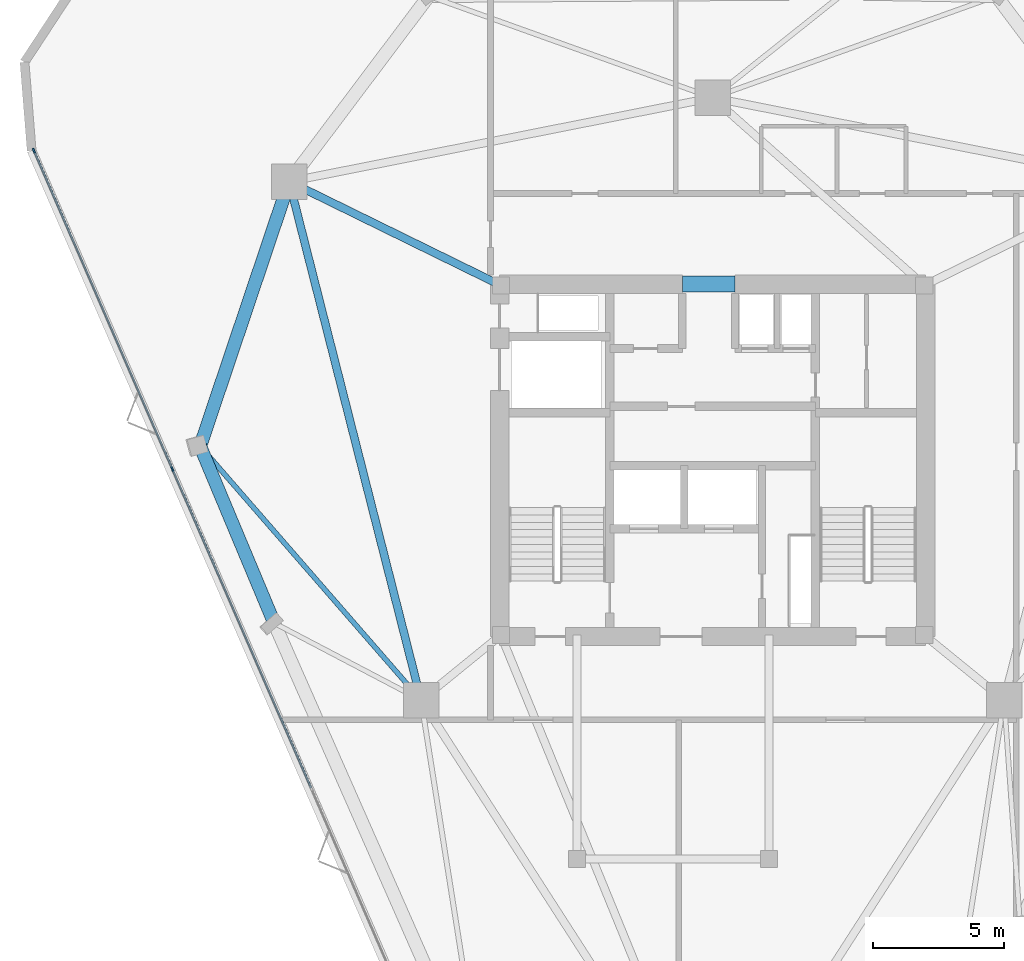
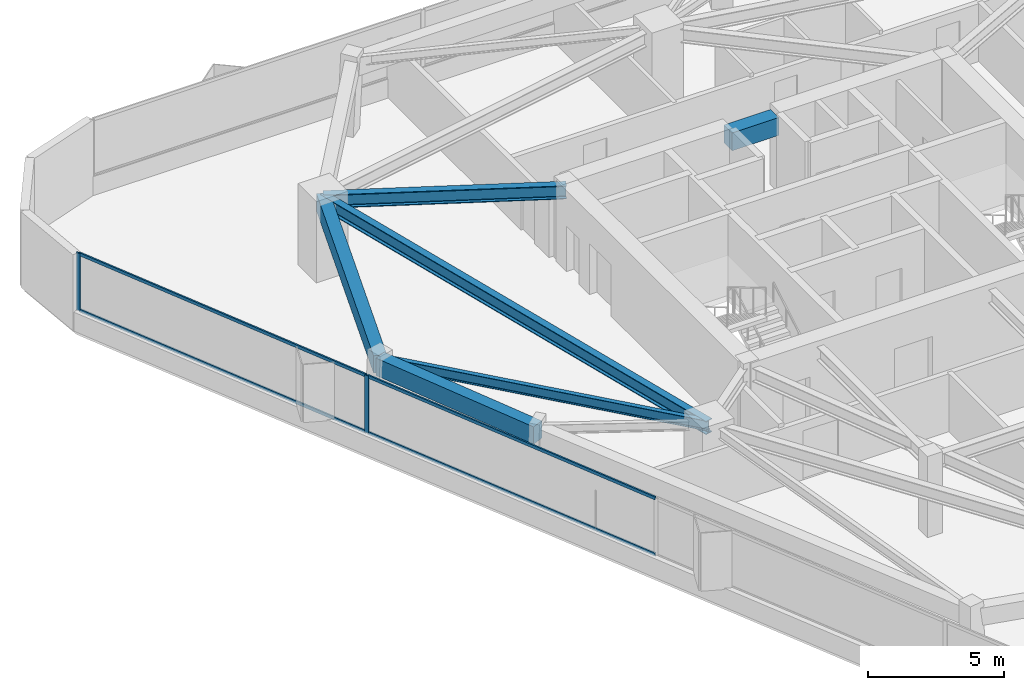
# One storey, part 5 of 12: 6 beams, 6 members, 1 element without a shape of its own.
"""IFC4 building model written with IfcOpenShell, lengths in metres."""

from ifc_helpers import new_model, si_unit, direction, frame, origin, origin_2d, place, context, subcontext, project, spatial, rectangle, i_section, extrude, material, layer, layer_set, material_profile, profile_set, type_object, element, aggregate, save


model = new_model("IFC4")

# Units and contexts
model_context = context("Model", 3, precision=1e-05, world=origin(), true_north=direction((0.0, 1.0)))
body_context = subcontext(model_context, "Body", "Model", "MODEL_VIEW")
ifc_project = project(units=[si_unit("LENGTHUNIT", "METRE"), si_unit("AREAUNIT", "SQUARE_METRE"), si_unit("VOLUMEUNIT", "CUBIC_METRE"), si_unit("PLANEANGLEUNIT", "RADIAN"), si_unit("MASSUNIT", "GRAM", prefix="KILO")], contexts=[model_context])

# Site, building, storey
site_placement = place(None, origin())
site = spatial("IfcSite", under=ifc_project, at=site_placement, CompositionType="ELEMENT")
building_placement = place(site_placement, origin())
building = spatial("IfcBuilding", under=site, at=building_placement, Name="Talyreon Biosciences Tower", CompositionType="ELEMENT")
storey_placement = place(building_placement, frame((0.0, 0.0, 197.64990234375)))
storey = spatial("IfcBuildingStorey", under=building, at=storey_placement, Name="L52", CompositionType="ELEMENT", Elevation=197.64990234375)

# Curtain wall, members
ifc_material_1 = material(Name="Thermally broken aluminium and low-E glazing", Category="aluminium")
ifc_layer = layer(ifc_material_1, 0.179931640625)
ifc_layer_set = layer_set([ifc_layer], Name="Thermally broken aluminium and low-E glazing")
curtain_wall_type = type_object("IfcCurtainWallType", Name="CurtainWall_Zone4Optical", PredefinedType="NOTDEFINED", material=ifc_layer_set)
curtain_wall_placement = place(storey_placement, origin())
curtain_wall = element("IfcCurtainWall", 1, at=curtain_wall_placement, inside=storey, type_object=curtain_wall_type, Name="L52 Unitised Curtain Wall FCW-L52-00", PredefinedType="NOTDEFINED")
ifc_material_2 = material(Name="Anodised thermally broken aluminium", Category="aluminium")
ifc_material_profile_1 = material_profile(ifc_material_2, rectangle(XDim=0.06494140625, YDim=0.179931640625, at=origin_2d()), Name="ALUM MULLION 65x180")
ifc_profile_set_1 = profile_set([ifc_material_profile_1], Name="Anodised thermally broken aluminium")
member_type_1 = type_object("IfcMemberType", Name="CWMullion_65x180", PredefinedType="MULLION", material=ifc_profile_set_1)
member_1_placement = place(storey_placement, frame((45.456787109375, 67.664794921875, 0.81005859375), z_axis=(0.0, 0.0, 1.0), x_axis=(-0.917010897502, -0.398862148946, 0.0)))
member_1 = element("IfcMember", 2, at=member_1_placement, type_object=member_type_1, Name="CW5 mullion 4", PredefinedType="MULLION", context=body_context, shape_type="SweptSolid", body=[
    extrude(rectangle(XDim=0.06494140625, YDim=0.179931640625, at=origin_2d()), origin(), (0.0, 0.0, 1.0), 2.590087890625),
])
member_2_placement = place(storey_placement, frame((40.187255859375, 79.780029296875, 0.81005859375), z_axis=(0.0, 0.0, 1.0), x_axis=(-0.917010897502, -0.398862148946, 0.0)))
member_2 = element("IfcMember", 3, at=member_2_placement, type_object=member_type_1, Name="CW5 mullion 5", PredefinedType="MULLION", context=body_context, shape_type="SweptSolid", body=[
    extrude(rectangle(XDim=0.06494140625, YDim=0.179931640625, at=origin_2d()), origin(), (0.0, 0.0, 1.0), 2.590087890625),
])
ifc_material_profile_2 = material_profile(ifc_material_2, rectangle(XDim=0.06494140625, YDim=0.139892578125, at=origin_2d()), Name="ALUM TRANSOM 65x140")
ifc_profile_set_2 = profile_set([ifc_material_profile_2], Name="Anodised thermally broken aluminium")
member_type_2 = type_object("IfcMemberType", Name="CWTransom_65x140", PredefinedType="USERDEFINED", material=ifc_profile_set_2)
member_3_placement = place(storey_placement, frame((50.7265625, 55.54931640625, 0.842529296875), z_axis=(-0.398872418552, 0.917006430576, 0.0), x_axis=(-0.917006430576, -0.398872418552, 0.0)))
member_3 = element("IfcMember", 4, at=member_3_placement, type_object=member_type_2, Name="CW5 transom 3.1", ObjectType="TRANSOM", PredefinedType="USERDEFINED", context=body_context, shape_type="SweptSolid", body=[
    extrude(rectangle(XDim=0.06494140625, YDim=0.139892578125, at=origin_2d()), origin(), (0.0, 0.0, 1.0), 13.17919921875),
])
member_4_placement = place(storey_placement, frame((50.7265625, 55.54931640625, 3.36767578125), z_axis=(-0.398872418552, 0.917006430576, 0.0), x_axis=(-0.917006430576, -0.398872418552, 0.0)))
member_4 = element("IfcMember", 5, at=member_4_placement, type_object=member_type_2, Name="CW5 transom 3.2", ObjectType="TRANSOM", PredefinedType="USERDEFINED", context=body_context, shape_type="SweptSolid", body=[
    extrude(rectangle(XDim=0.06494140625, YDim=0.139892578125, at=origin_2d()), origin(), (0.0, 0.0, 1.0), 13.17919921875),
])
member_5_placement = place(storey_placement, frame((45.44384765625, 67.694580078125, 0.842529296875), z_axis=(-0.39885784292, 0.917012770435, 0.0), x_axis=(-0.917012770435, -0.39885784292, 0.0)))
member_5 = element("IfcMember", 6, at=member_5_placement, type_object=member_type_2, Name="CW5 transom 4.1", ObjectType="TRANSOM", PredefinedType="USERDEFINED", context=body_context, shape_type="SweptSolid", body=[
    extrude(rectangle(XDim=0.06494140625, YDim=0.139892578125, at=origin_2d()), origin(), (0.0, 0.0, 1.0), 13.146728515625),
])
member_6_placement = place(storey_placement, frame((45.44384765625, 67.694580078125, 3.36767578125), z_axis=(-0.39885784292, 0.917012770435, 0.0), x_axis=(-0.917012770435, -0.39885784292, 0.0)))
member_6 = element("IfcMember", 7, at=member_6_placement, type_object=member_type_2, Name="CW5 transom 4.2", ObjectType="TRANSOM", PredefinedType="USERDEFINED", context=body_context, shape_type="SweptSolid", body=[
    extrude(rectangle(XDim=0.06494140625, YDim=0.139892578125, at=origin_2d()), origin(), (0.0, 0.0, 1.0), 13.146728515625),
])
aggregate(curtain_wall, [member_1, member_2, member_3, member_4, member_5, member_6])

# Beams
ifc_material_3 = material(Name="Concrete C50/60", Category="concrete")
ifc_material_profile_3 = material_profile(ifc_material_3, rectangle(XDim=0.60009765625, YDim=0.800048828125, at=origin_2d()), Name="RCB 600x800")
ifc_profile_set_3 = profile_set([ifc_material_profile_3], Name="Concrete C50/60")
beam_type_1 = type_object("IfcBeamType", Name="CoreCouplingLintel_600x800", PredefinedType="LINTEL", material=ifc_profile_set_3)
beam_1_placement = place(storey_placement, frame((64.85009765625, 74.699951171875, 3.0), z_axis=(1.0, 0.0, 0.0), x_axis=(0.0, 1.0, 0.0)))
element("IfcBeam", 8, at=beam_1_placement, inside=storey, type_object=beam_type_1, Name="L52 Core Coupling Lintel", PredefinedType="LINTEL", context=body_context, shape_type="SweptSolid", body=[
    extrude(rectangle(XDim=0.60009765625, YDim=0.800048828125, at=origin_2d()), origin(), (0.0, 0.0, 1.0), 2.0),
])
ifc_material_4 = material(Name="Precast concrete C45/55", Category="concrete")
ifc_material_profile_4 = material_profile(ifc_material_4, rectangle(XDim=0.5, YDim=0.780029296875, at=origin_2d()), Name="RCB 500x780")
ifc_profile_set_4 = profile_set([ifc_material_profile_4], Name="Precast concrete C45/55")
beam_type_2 = type_object("IfcBeamType", Name="ExpressedSpandrel_500x780", PredefinedType="SPANDREL", material=ifc_profile_set_4)
beam_2_placement = place(storey_placement, frame((49.897705078125, 78.5986328125, 3.010009765625), z_axis=(-0.318813616471, -0.947817428597, 0.0), x_axis=(0.947817428597, -0.318813616471, 0.0)))
element("IfcBeam", 9, at=beam_2_placement, inside=storey, type_object=beam_type_2, Name="L52 Expressed Horizontal Concrete Spandrel 09", PredefinedType="SPANDREL", context=body_context, shape_type="SweptSolid", body=[
    extrude(rectangle(XDim=0.5, YDim=0.780029296875, at=origin_2d()), origin(), (0.0, 0.0, 1.0), 10.61669921875),
])
beam_3_placement = place(storey_placement, frame((46.512939453125, 68.535888671875, 3.010009765625), z_axis=(0.386106269506, -0.922454307079, 0.0), x_axis=(0.922454307079, 0.386106269506, 0.0)))
element("IfcBeam", 10, at=beam_3_placement, inside=storey, type_object=beam_type_2, Name="L52 Expressed Horizontal Concrete Spandrel 10", PredefinedType="SPANDREL", context=body_context, shape_type="SweptSolid", body=[
    extrude(rectangle(XDim=0.5, YDim=0.780029296875, at=origin_2d()), origin(), (0.0, 0.0, 1.0), 7.2880859375),
])
ifc_material_5 = material(Name="Steel SM355", Category="steel")
ifc_material_profile_5 = material_profile(ifc_material_5, i_section(OverallWidth=0.300048828125, OverallDepth=0.60009765625, WebThickness=0.015380859375, FlangeThickness=0.030029296875, FilletRadius=0.027099609375, at=origin_2d()), Name="HE600B")
ifc_profile_set_5 = profile_set([ifc_material_profile_5], Name="Steel SM355")
beam_type_3 = type_object("IfcBeamType", Name="SteelBeam_HE600B", PredefinedType="BEAM", material=ifc_profile_set_5)
beam_4_placement = place(storey_placement, frame((49.897705078125, 78.5986328125, 3.10009765625), z_axis=(0.246537082299, -0.969133358755, 0.0), x_axis=(0.969133358755, 0.246537082299, 0.0)))
element("IfcBeam", 11, at=beam_4_placement, inside=storey, type_object=beam_type_3, Name="L52 Mega-Ring Girder 5", PredefinedType="BEAM", context=body_context, shape_type="SweptSolid", body=[
    extrude(i_section(OverallWidth=0.300048828125, OverallDepth=0.60009765625, WebThickness=0.015380859375, FlangeThickness=0.030029296875, FilletRadius=0.027099609375, at=origin_2d()), origin(), (0.0, 0.0, 1.0), 20.34619140625),
])
beam_5_placement = place(storey_placement, frame((57.949951171875, 74.64990234375, 3.10009765625), z_axis=(-0.897852360314, 0.440296648952, 0.0), x_axis=(-0.440296648952, -0.897852360314, 0.0)))
element("IfcBeam", 12, at=beam_5_placement, inside=storey, type_object=beam_type_3, Name="L52 Radial Primary Girder 5", PredefinedType="BEAM", context=body_context, shape_type="SweptSolid", body=[
    extrude(i_section(OverallWidth=0.300048828125, OverallDepth=0.60009765625, WebThickness=0.015380859375, FlangeThickness=0.030029296875, FilletRadius=0.027099609375, at=origin_2d()), origin(), (0.0, 0.0, 1.0), 8.96826171875),
])
ifc_material_profile_6 = material_profile(ifc_material_5, i_section(OverallWidth=0.18994140625, OverallDepth=0.449951171875, WebThickness=0.009521484375, FlangeThickness=0.0146484375, FilletRadius=0.02099609375, at=origin_2d()), Name="IPE450")
ifc_profile_set_6 = profile_set([ifc_material_profile_6], Name="Steel SM355")
beam_type_4 = type_object("IfcBeamType", Name="SteelJoist_IPE450", PredefinedType="JOIST", material=ifc_profile_set_6)
beam_6_placement = place(storey_placement, frame((54.913818359375, 58.88037109375, 3.175048828125), z_axis=(-0.656391210327, 0.754420690998, 0.0), x_axis=(-0.754420690998, -0.656391210327, 0.0)))
element("IfcBeam", 13, at=beam_6_placement, inside=storey, type_object=beam_type_4, Name="L52 Radial Composite Floor Joist PC-SW1", PredefinedType="JOIST", context=body_context, shape_type="SweptSolid", body=[
    extrude(i_section(OverallWidth=0.18994140625, OverallDepth=0.449951171875, WebThickness=0.009521484375, FlangeThickness=0.0146484375, FilletRadius=0.02099609375, at=origin_2d()), origin(), (0.0, 0.0, 1.0), 12.798583984375),
])

save(model, "model.ifc")
